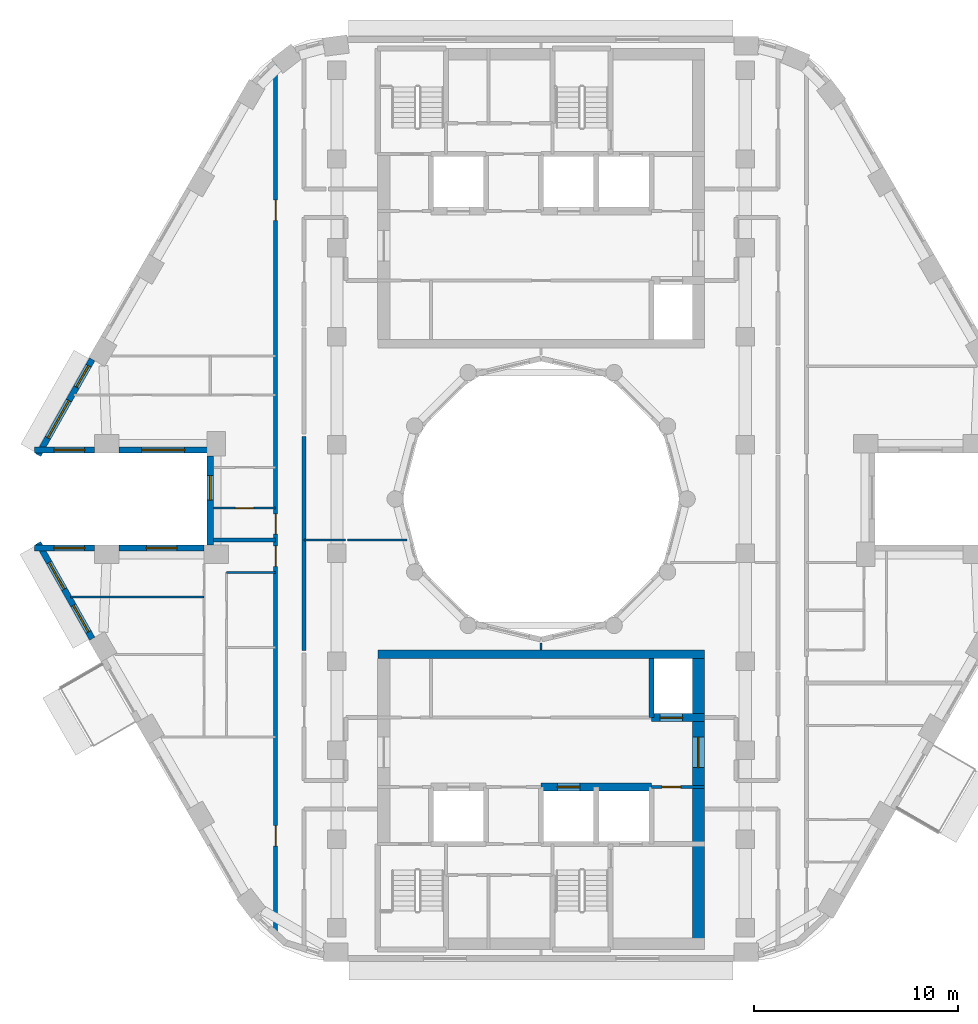
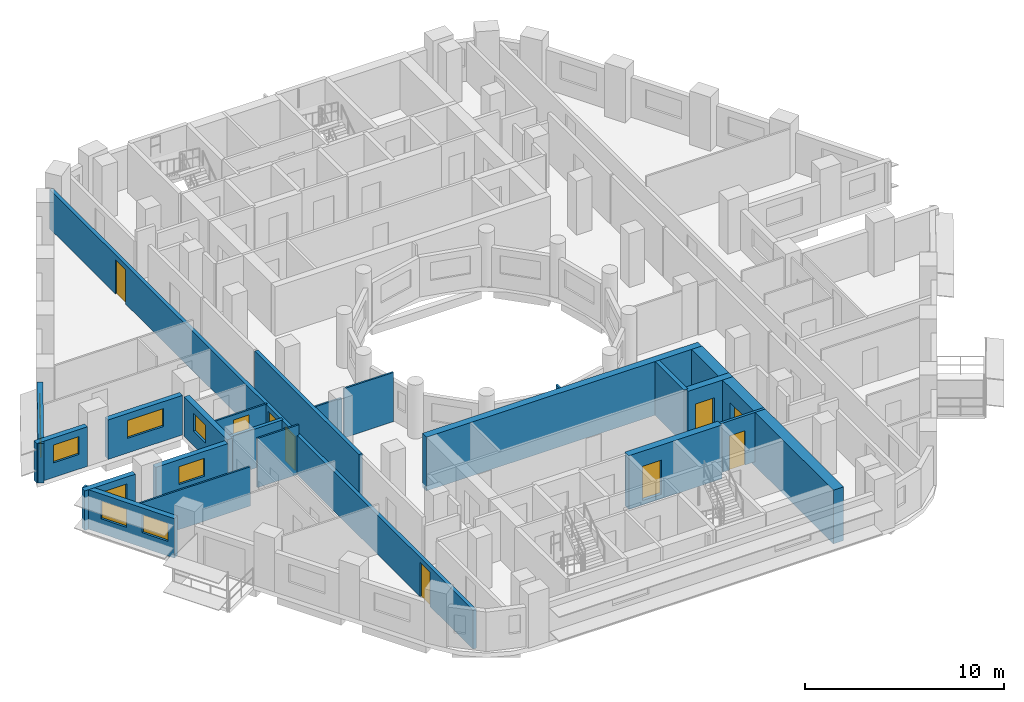
# One storey, part 4 of 15: 22 walls, 9 doors, 9 windows, 18 openings.
"""IFC4 building model written with IfcOpenShell, lengths in metres."""

from ifc_helpers import new_model, si_unit, direction, frame, frame_2d, origin, place, context, subcontext, project, spatial, rectangle, extrude, material, layer, layer_set, type_object, element, fill, save


model = new_model("IFC4")

# Units and contexts
model_context = context("Model", 3, precision=1e-05, world=origin(), true_north=direction((0.0, 1.0)))
body_context = subcontext(model_context, "Body", "Model", "MODEL_VIEW")
ifc_project = project(units=[si_unit("LENGTHUNIT", "METRE"), si_unit("AREAUNIT", "SQUARE_METRE"), si_unit("VOLUMEUNIT", "CUBIC_METRE"), si_unit("PLANEANGLEUNIT", "RADIAN"), si_unit("MASSUNIT", "GRAM", prefix="KILO")], contexts=[model_context])

# Site, building, storey
site_placement = place(None, origin())
site = spatial("IfcSite", under=ifc_project, at=site_placement, CompositionType="ELEMENT")
building_placement = place(site_placement, origin())
building = spatial("IfcBuilding", under=site, at=building_placement, Name="Nakaniwa Court", CompositionType="ELEMENT")
storey_placement = place(building_placement, frame((0.0, 0.0, 213.0)))
storey = spatial("IfcBuildingStorey", under=building, at=storey_placement, Name="L56", CompositionType="ELEMENT", Elevation=213.0)

# Wall
ifc_material_1 = material(Name="Acoustic double stud partition")
ifc_layer_1 = layer(ifc_material_1, 0.199951171875)
ifc_layer_set_1 = layer_set([ifc_layer_1], Name="Acoustic double stud partition")
wall_type_1 = type_object("IfcWallType", Name="Acoustic double stud partition 200", PredefinedType="PARTITIONING", material=ifc_layer_set_1)
wall_1_placement = place(storey_placement, frame((68.39990234375, 72.5771484375, 0.0), z_axis=(0.0, 0.0, 1.0), x_axis=(0.0, 1.0, 0.0)))
element("IfcWall", 1, at=wall_1_placement, inside=storey, type_object=wall_type_1, Name="Partition PW-094", PredefinedType="PARTITIONING", context=body_context, shape_type="SweptSolid", body=[
    extrude(rectangle(XDim=10.485595703125, YDim=0.199951171875, at=frame_2d((5.24267578125, 0.0))), origin(), (0.0, 0.0, 1.0), 3.02490234375),
])

# Wall, openings, doors
wall_2_placement = place(storey_placement, frame((67.0, 58.67431640625, 0.0), z_axis=(0.0, 0.0, 1.0), x_axis=(0.0, 1.0, 0.0)))
wall_2 = element("IfcWall", 2, at=wall_2_placement, inside=storey, type_object=wall_type_1, Name="Partition PW-102", PredefinedType="PARTITIONING", context=body_context, shape_type="SweptSolid", body=[
    extrude(rectangle(XDim=42.591796875, YDim=0.199951171875, at=frame_2d((21.2958984375, 0.0))), origin(), (0.0, 0.0, 1.0), 2.405029296875),
])
opening_1_placement = place(wall_2_placement, frame((18.02587890625, 0.0, 0.0)))
opening_1 = element("IfcOpeningElement", 3, at=opening_1_placement, cuts=wall_2, Name="Opening D-01-03", PredefinedType="OPENING", context=body_context, shape_type="SweptSolid", body=[
    extrude(rectangle(XDim=1.0, YDim=2.10009765625, at=frame_2d((0.5, 1.050048828125))), frame((0.0, 0.10986328125, 0.0), z_axis=(0.0, -1.0, 0.0), x_axis=(1.0, 0.0, 0.0)), (0.0, 0.0, 1.0), 0.219970703125),
])
opening_2_placement = place(wall_2_placement, frame((19.60107421875, 0.0, 0.0)))
opening_2 = element("IfcOpeningElement", 4, at=opening_2_placement, cuts=wall_2, Name="Opening D-01-04", PredefinedType="OPENING", context=body_context, shape_type="SweptSolid", body=[
    extrude(rectangle(XDim=1.0, YDim=2.10009765625, at=frame_2d((0.5, 1.050048828125))), frame((0.0, 0.10986328125, 0.0), z_axis=(0.0, -1.0, 0.0), x_axis=(1.0, 0.0, 0.0)), (0.0, 0.0, 1.0), 0.219970703125),
])
opening_3_placement = place(wall_2_placement, frame((4.33203125, 0.0, 0.0)))
opening_3 = element("IfcOpeningElement", 5, at=opening_3_placement, cuts=wall_2, Name="Opening D-02-10", PredefinedType="OPENING", context=body_context, shape_type="SweptSolid", body=[
    extrude(rectangle(XDim=1.0, YDim=2.10009765625, at=frame_2d((0.5, 1.050048828125))), frame((0.0, 0.10986328125, 0.0), z_axis=(0.0, -1.0, 0.0), x_axis=(1.0, 0.0, 0.0)), (0.0, 0.0, 1.0), 0.219970703125),
])
opening_4_placement = place(wall_2_placement, frame((34.95703125, 0.0, 0.0)))
opening_4 = element("IfcOpeningElement", 6, at=opening_4_placement, cuts=wall_2, Name="Opening D-02-11", PredefinedType="OPENING", context=body_context, shape_type="SweptSolid", body=[
    extrude(rectangle(XDim=1.0, YDim=2.10009765625, at=frame_2d((0.5, 1.050048828125))), frame((0.0, 0.10986328125, 0.0), z_axis=(0.0, -1.0, 0.0), x_axis=(1.0, 0.0, 0.0)), (0.0, 0.0, 1.0), 0.219970703125),
])
ifc_material_2 = material(Name="Solid core timber door set, black veneer", Category="wood")
door_type_1 = type_object("IfcDoorType", Name="Flat entrance door 1000", OperationType="NOTDEFINED", PredefinedType="DOOR", material=ifc_material_2)
door_1_placement = place(opening_1_placement, origin())
door_1 = element("IfcDoor", 7, at=door_1_placement, inside=storey, type_object=door_type_1, Name="Door D-01-03 L56-035", OperationType="SINGLE_SWING_RIGHT", OverallHeight=2.10009765625, OverallWidth=1.0, PredefinedType="DOOR", context=body_context, shape_type="SweptSolid", body=[
    extrude(rectangle(XDim=1.0, YDim=2.10009765625, at=frame_2d((0.5, 1.050048828125))), frame((0.0, 0.02490234375, 0.0), z_axis=(0.0, -1.0, 0.0), x_axis=(1.0, 0.0, 0.0)), (0.0, 0.0, 1.0), 0.050048828125),
])
fill(opening_1, door_1)
door_2_placement = place(opening_2_placement, origin())
door_2 = element("IfcDoor", 8, at=door_2_placement, inside=storey, type_object=door_type_1, Name="Door D-01-04 L56-041", OperationType="SINGLE_SWING_RIGHT", OverallHeight=2.10009765625, OverallWidth=1.0, PredefinedType="DOOR", context=body_context, shape_type="SweptSolid", body=[
    extrude(rectangle(XDim=1.0, YDim=2.10009765625, at=frame_2d((0.5, 1.050048828125))), frame((0.0, 0.02490234375, 0.0), z_axis=(0.0, -1.0, 0.0), x_axis=(1.0, 0.0, 0.0)), (0.0, 0.0, 1.0), 0.050048828125),
])
fill(opening_2, door_2)
door_type_2 = type_object("IfcDoorType", Name="Internal door 1000", OperationType="NOTDEFINED", PredefinedType="DOOR", material=ifc_material_2)
door_3_placement = place(opening_3_placement, origin())
door_3 = element("IfcDoor", 9, at=door_3_placement, inside=storey, type_object=door_type_2, Name="Door D-02-10 L56-049", OperationType="SINGLE_SWING_RIGHT", OverallHeight=2.10009765625, OverallWidth=1.0, PredefinedType="DOOR", context=body_context, shape_type="SweptSolid", body=[
    extrude(rectangle(XDim=1.0, YDim=2.10009765625, at=frame_2d((0.5, 1.050048828125))), frame((0.0, 0.02490234375, 0.0), z_axis=(0.0, -1.0, 0.0), x_axis=(1.0, 0.0, 0.0)), (0.0, 0.0, 1.0), 0.050048828125),
])
fill(opening_3, door_3)
door_4_placement = place(opening_4_placement, origin())
door_4 = element("IfcDoor", 10, at=door_4_placement, inside=storey, type_object=door_type_2, Name="Door D-02-11 L56-050", OperationType="SINGLE_SWING_LEFT", OverallHeight=2.10009765625, OverallWidth=1.0, PredefinedType="DOOR", context=body_context, shape_type="SweptSolid", body=[
    extrude(rectangle(XDim=1.0, YDim=2.10009765625, at=frame_2d((0.5, 1.050048828125))), frame((0.0, 0.02490234375, 0.0), z_axis=(0.0, -1.0, 0.0), x_axis=(1.0, 0.0, 0.0)), (0.0, 0.0, 1.0), 0.050048828125),
])
fill(opening_4, door_4)

# Wall
wall_3_placement = place(storey_placement, frame((63.950439453125, 78.0, 0.0), z_axis=(0.0, 0.0, 1.0), x_axis=(1.0, 0.0, 0.0)))
element("IfcWall", 11, at=wall_3_placement, inside=storey, type_object=wall_type_1, Name="Partition PW-126", PredefinedType="PARTITIONING", context=body_context, shape_type="SweptSolid", body=[
    extrude(rectangle(XDim=3.048583984375, YDim=0.199951171875, at=frame_2d((1.5244140625, 0.0))), origin(), (0.0, 0.0, 1.0), 2.405029296875),
])

# Wall, openings, windows
ifc_material_3 = material(Name="Charcoal ceramic cladding")
ifc_layer_2 = layer(ifc_material_3, 0.02, Name="Ceramic cladding")
ifc_material_4 = material(Name="Ventilated air cavity")
ifc_layer_3 = layer(ifc_material_4, 0.04, ventilated=True, Name="Ventilated cavity")
ifc_material_5 = material(Name="Mineral wool insulation")
ifc_layer_4 = layer(ifc_material_5, 0.1, Name="Insulation")
ifc_material_6 = material(Name="Cement bonded sheathing board")
ifc_layer_5 = layer(ifc_material_6, 0.012, Name="Sheathing")
ifc_material_7 = material(Name="Cold-formed galvanised stud frame with mineral wool infill")
ifc_layer_6 = layer(ifc_material_7, 0.1, Name="Stud frame")
ifc_material_8 = material(Name="Fire-rated gypsum plasterboard lining")
ifc_layer_7 = layer(ifc_material_8, 0.028, Name="Lining")
ifc_layer_set_2 = layer_set([ifc_layer_2, ifc_layer_3, ifc_layer_4, ifc_layer_5, ifc_layer_6, ifc_layer_7], Name="Charcoal ceramic faced external wall system")
wall_type_2 = type_object("IfcWallType", Name="Black ceramic faced external wall 300", PredefinedType="SOLIDWALL", material=ifc_layer_set_2)
wall_4_placement = place(storey_placement, frame((58.023193359375, 86.843017578125, 0.0), z_axis=(0.0, 0.0, 1.0), x_axis=(-0.492033360928, -0.870576344575, 0.0)))
wall_4 = element("IfcWall", 12, at=wall_4_placement, inside=storey, type_object=wall_type_2, Name="L56 external wall 14", PredefinedType="SOLIDWALL", context=body_context, shape_type="SweptSolid", body=[
    extrude(rectangle(XDim=5.38671875, YDim=0.300048828125, at=frame_2d((2.693359375, 0.0))), origin(), (0.0, 0.0, 1.0), 2.425048828125),
])
opening_5_placement = place(wall_4_placement, frame((0.365966796875, 0.0, 0.89990234375)))
opening_5 = element("IfcOpeningElement", 13, at=opening_5_placement, cuts=wall_4, Name="Opening W6.16", PredefinedType="OPENING", context=body_context, shape_type="SweptSolid", body=[
    extrude(rectangle(XDim=1.199951171875, YDim=1.10009765625, at=frame_2d((0.60009765625, 0.550048828125))), frame((0.0, 0.159912109375, 0.0), z_axis=(0.0, -1.0, 0.0), x_axis=(1.0, 0.0, 0.0)), (0.0, 0.0, 1.0), 0.320068359375),
])
opening_6_placement = place(wall_4_placement, frame((2.32080078125, 0.0, 0.89990234375)))
opening_6 = element("IfcOpeningElement", 14, at=opening_6_placement, cuts=wall_4, Name="Opening W7.17", PredefinedType="OPENING", context=body_context, shape_type="SweptSolid", body=[
    extrude(rectangle(XDim=2.10009765625, YDim=1.10009765625, at=frame_2d((1.050048828125, 0.550048828125))), frame((0.0, 0.159912109375, 0.0), z_axis=(0.0, -1.0, 0.0), x_axis=(1.0, 0.0, 0.0)), (0.0, 0.0, 1.0), 0.320068359375),
])
ifc_material_9 = material(Name="Black anodised aluminium frame with dark low-E laminated double glazing", Category="aluminium")
window_type_1 = type_object("IfcWindowType", Name="Dark glass window 1200x1100 sill 900", PartitioningType="SINGLE_PANEL", PredefinedType="WINDOW", material=ifc_material_9)
window_1_placement = place(opening_5_placement, origin())
window_1 = element("IfcWindow", 15, at=window_1_placement, inside=storey, type_object=window_type_1, Name="L56 habitable room window 14-0", OverallHeight=1.10009765625, OverallWidth=1.199951171875, PartitioningType="SINGLE_PANEL", PredefinedType="WINDOW", context=body_context, shape_type="SweptSolid", body=[
    extrude(rectangle(XDim=1.199951171875, YDim=1.10009765625, at=frame_2d((0.60009765625, 0.550048828125))), frame((0.0, 0.030029296875, 0.0), z_axis=(0.0, -1.0, 0.0), x_axis=(1.0, 0.0, 0.0)), (0.0, 0.0, 1.0), 0.06005859375),
])
fill(opening_5, window_1)
window_type_2 = type_object("IfcWindowType", Name="Dark glass window 2100x1100 sill 900", PartitioningType="SINGLE_PANEL", PredefinedType="WINDOW", material=ifc_material_9)
window_2_placement = place(opening_6_placement, origin())
window_2 = element("IfcWindow", 16, at=window_2_placement, inside=storey, type_object=window_type_2, Name="L56 living window 14-1", OverallHeight=1.10009765625, OverallWidth=2.10009765625, PartitioningType="SINGLE_PANEL", PredefinedType="WINDOW", context=body_context, shape_type="SweptSolid", body=[
    extrude(rectangle(XDim=2.10009765625, YDim=1.10009765625, at=frame_2d((1.050048828125, 0.550048828125))), frame((0.0, 0.030029296875, 0.0), z_axis=(0.0, -1.0, 0.0), x_axis=(1.0, 0.0, 0.0)), (0.0, 0.0, 1.0), 0.06005859375),
])
fill(opening_6, window_2)

# Wall, opening, window
wall_5_placement = place(storey_placement, frame((55.2021484375, 82.39990234375, 0.0), z_axis=(0.0, 0.0, 1.0), x_axis=(1.0, 0.0, 0.0)))
wall_5 = element("IfcWall", 17, at=wall_5_placement, inside=storey, type_object=wall_type_2, Name="L56 external wall 15", PredefinedType="SOLIDWALL", context=body_context, shape_type="SweptSolid", body=[
    extrude(rectangle(XDim=2.937744140625, YDim=0.300048828125, at=frame_2d((1.46875, 0.0))), origin(), (0.0, 0.0, 1.0), 2.425048828125),
])
opening_7_placement = place(wall_5_placement, frame((0.944091796875, 0.0, 0.89990234375)))
opening_7 = element("IfcOpeningElement", 18, at=opening_7_placement, cuts=wall_5, Name="Opening W5.18", PredefinedType="OPENING", context=body_context, shape_type="SweptSolid", body=[
    extrude(rectangle(XDim=1.5, YDim=1.10009765625, at=frame_2d((0.75, 0.550048828125))), frame((0.0, 0.159912109375, 0.0), z_axis=(0.0, -1.0, 0.0), x_axis=(1.0, 0.0, 0.0)), (0.0, 0.0, 1.0), 0.320068359375),
])
window_type_3 = type_object("IfcWindowType", Name="Dark glass window 1500x1100 sill 900", PartitioningType="SINGLE_PANEL", PredefinedType="WINDOW", material=ifc_material_9)
window_3_placement = place(opening_7_placement, origin())
window_3 = element("IfcWindow", 19, at=window_3_placement, inside=storey, type_object=window_type_3, Name="L56 living window 15-0", OverallHeight=1.10009765625, OverallWidth=1.5, PartitioningType="SINGLE_PANEL", PredefinedType="WINDOW", context=body_context, shape_type="SweptSolid", body=[
    extrude(rectangle(XDim=1.5, YDim=1.10009765625, at=frame_2d((0.75, 0.550048828125))), frame((0.0, 0.030029296875, 0.0), z_axis=(0.0, -1.0, 0.0), x_axis=(1.0, 0.0, 0.0)), (0.0, 0.0, 1.0), 0.06005859375),
])
fill(opening_7, window_3)

wall_6_placement = place(storey_placement, frame((59.33203125, 82.39990234375, 0.0), z_axis=(0.0, 0.0, 1.0), x_axis=(1.0, 0.0, 0.0)))
wall_6 = element("IfcWall", 20, at=wall_6_placement, inside=storey, type_object=wall_type_2, Name="L56 external wall 16", PredefinedType="SOLIDWALL", context=body_context, shape_type="SweptSolid", body=[
    extrude(rectangle(XDim=4.322509765625, YDim=0.300048828125, at=frame_2d((2.1611328125, 0.0))), origin(), (0.0, 0.0, 1.0), 2.425048828125),
])
opening_8_placement = place(wall_6_placement, frame((1.111083984375, 0.0, 0.89990234375)))
opening_8 = element("IfcOpeningElement", 21, at=opening_8_placement, cuts=wall_6, Name="Opening W7.19", PredefinedType="OPENING", context=body_context, shape_type="SweptSolid", body=[
    extrude(rectangle(XDim=2.10009765625, YDim=1.10009765625, at=frame_2d((1.050048828125, 0.550048828125))), frame((0.0, 0.159912109375, 0.0), z_axis=(0.0, -1.0, 0.0), x_axis=(1.0, 0.0, 0.0)), (0.0, 0.0, 1.0), 0.320068359375),
])
window_4_placement = place(opening_8_placement, origin())
window_4 = element("IfcWindow", 22, at=window_4_placement, inside=storey, type_object=window_type_2, Name="L56 living window 16-0", OverallHeight=1.10009765625, OverallWidth=2.10009765625, PartitioningType="SINGLE_PANEL", PredefinedType="WINDOW", context=body_context, shape_type="SweptSolid", body=[
    extrude(rectangle(XDim=2.10009765625, YDim=1.10009765625, at=frame_2d((1.050048828125, 0.550048828125))), frame((0.0, 0.030029296875, 0.0), z_axis=(0.0, -1.0, 0.0), x_axis=(1.0, 0.0, 0.0)), (0.0, 0.0, 1.0), 0.06005859375),
])
fill(opening_8, window_4)

wall_7_placement = place(storey_placement, frame((63.800537109375, 82.10400390625, 0.0), z_axis=(0.0, 0.0, 1.0), x_axis=(0.0, -1.0, 0.0)))
wall_7 = element("IfcWall", 23, at=wall_7_placement, inside=storey, type_object=wall_type_2, Name="L56 external wall 17", PredefinedType="SOLIDWALL", context=body_context, shape_type="SweptSolid", body=[
    extrude(rectangle(XDim=4.35791015625, YDim=0.300048828125, at=frame_2d((2.178955078125, 0.0))), origin(), (0.0, 0.0, 1.0), 2.425048828125),
])
opening_9_placement = place(wall_7_placement, frame((0.9541015625, 0.0, 0.89990234375)))
opening_9 = element("IfcOpeningElement", 24, at=opening_9_placement, cuts=wall_7, Name="Opening W6.20", PredefinedType="OPENING", context=body_context, shape_type="SweptSolid", body=[
    extrude(rectangle(XDim=1.199951171875, YDim=1.10009765625, at=frame_2d((0.60009765625, 0.550048828125))), frame((0.0, 0.159912109375, 0.0), z_axis=(0.0, -1.0, 0.0), x_axis=(1.0, 0.0, 0.0)), (0.0, 0.0, 1.0), 0.320068359375),
])
window_5_placement = place(opening_9_placement, origin())
window_5 = element("IfcWindow", 25, at=window_5_placement, inside=storey, type_object=window_type_1, Name="L56 habitable room window 17-1", OverallHeight=1.10009765625, OverallWidth=1.199951171875, PartitioningType="SINGLE_PANEL", PredefinedType="WINDOW", context=body_context, shape_type="SweptSolid", body=[
    extrude(rectangle(XDim=1.199951171875, YDim=1.10009765625, at=frame_2d((0.60009765625, 0.550048828125))), frame((0.0, 0.030029296875, 0.0), z_axis=(0.0, -1.0, 0.0), x_axis=(1.0, 0.0, 0.0)), (0.0, 0.0, 1.0), 0.06005859375),
])
fill(opening_9, window_5)

wall_8_placement = place(storey_placement, frame((63.50439453125, 77.60009765625, 0.0), z_axis=(0.0, 0.0, 1.0), x_axis=(-1.0, 0.0, 0.0)))
wall_8 = element("IfcWall", 26, at=wall_8_placement, inside=storey, type_object=wall_type_2, Name="L56 external wall 18", PredefinedType="SOLIDWALL", context=body_context, shape_type="SweptSolid", body=[
    extrude(rectangle(XDim=4.17236328125, YDim=0.300048828125, at=frame_2d((2.086181640625, 0.0))), origin(), (0.0, 0.0, 1.0), 2.425048828125),
])
opening_10_placement = place(wall_8_placement, frame((1.336181640625, 0.0, 0.89990234375)))
opening_10 = element("IfcOpeningElement", 27, at=opening_10_placement, cuts=wall_8, Name="Opening W5.21", PredefinedType="OPENING", context=body_context, shape_type="SweptSolid", body=[
    extrude(rectangle(XDim=1.5, YDim=1.10009765625, at=frame_2d((0.75, 0.550048828125))), frame((0.0, 0.159912109375, 0.0), z_axis=(0.0, -1.0, 0.0), x_axis=(1.0, 0.0, 0.0)), (0.0, 0.0, 1.0), 0.320068359375),
])
window_6_placement = place(opening_10_placement, origin())
window_6 = element("IfcWindow", 28, at=window_6_placement, inside=storey, type_object=window_type_3, Name="L56 bedroom window 18-0", OverallHeight=1.10009765625, OverallWidth=1.5, PartitioningType="SINGLE_PANEL", PredefinedType="WINDOW", context=body_context, shape_type="SweptSolid", body=[
    extrude(rectangle(XDim=1.5, YDim=1.10009765625, at=frame_2d((0.75, 0.550048828125))), frame((0.0, 0.030029296875, 0.0), z_axis=(0.0, -1.0, 0.0), x_axis=(1.0, 0.0, 0.0)), (0.0, 0.0, 1.0), 0.06005859375),
])
fill(opening_10, window_6)

wall_9_placement = place(storey_placement, frame((58.139892578125, 77.60009765625, 0.0), z_axis=(0.0, 0.0, 1.0), x_axis=(-1.0, 0.0, 0.0)))
wall_9 = element("IfcWall", 29, at=wall_9_placement, inside=storey, type_object=wall_type_2, Name="L56 external wall 19", PredefinedType="SOLIDWALL", context=body_context, shape_type="SweptSolid", body=[
    extrude(rectangle(XDim=2.937744140625, YDim=0.300048828125, at=frame_2d((1.46875, 0.0))), origin(), (0.0, 0.0, 1.0), 2.425048828125),
])
opening_11_placement = place(wall_9_placement, frame((0.493896484375, 0.0, 0.89990234375)))
opening_11 = element("IfcOpeningElement", 30, at=opening_11_placement, cuts=wall_9, Name="Opening W5.22", PredefinedType="OPENING", context=body_context, shape_type="SweptSolid", body=[
    extrude(rectangle(XDim=1.5, YDim=1.10009765625, at=frame_2d((0.75, 0.550048828125))), frame((0.0, 0.159912109375, 0.0), z_axis=(0.0, -1.0, 0.0), x_axis=(1.0, 0.0, 0.0)), (0.0, 0.0, 1.0), 0.320068359375),
])
window_7_placement = place(opening_11_placement, origin())
window_7 = element("IfcWindow", 31, at=window_7_placement, inside=storey, type_object=window_type_3, Name="L56 bedroom window 19-0", OverallHeight=1.10009765625, OverallWidth=1.5, PartitioningType="SINGLE_PANEL", PredefinedType="WINDOW", context=body_context, shape_type="SweptSolid", body=[
    extrude(rectangle(XDim=1.5, YDim=1.10009765625, at=frame_2d((0.75, 0.550048828125))), frame((0.0, 0.030029296875, 0.0), z_axis=(0.0, -1.0, 0.0), x_axis=(1.0, 0.0, 0.0)), (0.0, 0.0, 1.0), 0.06005859375),
])
fill(opening_11, window_7)

# Wall, openings, windows
wall_10_placement = place(storey_placement, frame((55.372802734375, 77.846435546875, 0.0), z_axis=(0.0, 0.0, 1.0), x_axis=(0.492033360928, -0.870576344575, 0.0)))
wall_10 = element("IfcWall", 32, at=wall_10_placement, inside=storey, type_object=wall_type_2, Name="L56 external wall 20", PredefinedType="SOLIDWALL", context=body_context, shape_type="SweptSolid", body=[
    extrude(rectangle(XDim=5.38671875, YDim=0.300048828125, at=frame_2d((2.693359375, 0.0))), origin(), (0.0, 0.0, 1.0), 2.425048828125),
])
opening_12_placement = place(wall_10_placement, frame((1.0966796875, 0.0, 0.89990234375)))
opening_12 = element("IfcOpeningElement", 33, at=opening_12_placement, cuts=wall_10, Name="Opening W5.23", PredefinedType="OPENING", context=body_context, shape_type="SweptSolid", body=[
    extrude(rectangle(XDim=1.5, YDim=1.10009765625, at=frame_2d((0.75, 0.550048828125))), frame((0.0, 0.159912109375, 0.0), z_axis=(0.0, -1.0, 0.0), x_axis=(1.0, 0.0, 0.0)), (0.0, 0.0, 1.0), 0.320068359375),
])
opening_13_placement = place(wall_10_placement, frame((3.50146484375, 0.0, 0.89990234375)))
opening_13 = element("IfcOpeningElement", 34, at=opening_13_placement, cuts=wall_10, Name="Opening W5.24", PredefinedType="OPENING", context=body_context, shape_type="SweptSolid", body=[
    extrude(rectangle(XDim=1.5, YDim=1.10009765625, at=frame_2d((0.75, 0.550048828125))), frame((0.0, 0.159912109375, 0.0), z_axis=(0.0, -1.0, 0.0), x_axis=(1.0, 0.0, 0.0)), (0.0, 0.0, 1.0), 0.320068359375),
])
window_8_placement = place(opening_12_placement, origin())
window_8 = element("IfcWindow", 35, at=window_8_placement, inside=storey, type_object=window_type_3, Name="L56 bedroom window 20-0", OverallHeight=1.10009765625, OverallWidth=1.5, PartitioningType="SINGLE_PANEL", PredefinedType="WINDOW", context=body_context, shape_type="SweptSolid", body=[
    extrude(rectangle(XDim=1.5, YDim=1.10009765625, at=frame_2d((0.75, 0.550048828125))), frame((0.0, 0.030029296875, 0.0), z_axis=(0.0, -1.0, 0.0), x_axis=(1.0, 0.0, 0.0)), (0.0, 0.0, 1.0), 0.06005859375),
])
fill(opening_12, window_8)
window_9_placement = place(opening_13_placement, origin())
window_9 = element("IfcWindow", 36, at=window_9_placement, inside=storey, type_object=window_type_3, Name="L56 bedroom window 20-1", OverallHeight=1.10009765625, OverallWidth=1.5, PartitioningType="SINGLE_PANEL", PredefinedType="WINDOW", context=body_context, shape_type="SweptSolid", body=[
    extrude(rectangle(XDim=1.5, YDim=1.10009765625, at=frame_2d((0.75, 0.550048828125))), frame((0.0, 0.030029296875, 0.0), z_axis=(0.0, -1.0, 0.0), x_axis=(1.0, 0.0, 0.0)), (0.0, 0.0, 1.0), 0.06005859375),
])
fill(opening_13, window_9)

# Wall, opening, door
ifc_material_10 = material(Name="Blockwork partition", Category="masonry")
ifc_layer_8 = layer(ifc_material_10, 0.14990234375)
ifc_layer_set_3 = layer_set([ifc_layer_8], Name="Blockwork partition")
wall_type_3 = type_object("IfcWallType", Name="Blockwork partition 150", PredefinedType="PARTITIONING", material=ifc_layer_set_3)
wall_11_placement = place(storey_placement, frame((88.0, 65.89990234375, 0.0), z_axis=(0.0, 0.0, 1.0), x_axis=(-1.0, 0.0, 0.0)))
wall_11 = element("IfcWall", 37, at=wall_11_placement, inside=storey, type_object=wall_type_3, Name="Partition PW-042", PredefinedType="PARTITIONING", context=body_context, shape_type="SweptSolid", body=[
    extrude(rectangle(XDim=2.60302734375, YDim=0.14990234375, at=frame_2d((1.301513671875, 0.0))), origin(), (0.0, 0.0, 1.0), 3.02490234375),
])
opening_14_placement = place(wall_11_placement, frame((1.175048828125, 0.0, 0.0)))
opening_14 = element("IfcOpeningElement", 38, at=opening_14_placement, cuts=wall_11, Name="Opening D-05-08", PredefinedType="OPENING", context=body_context, shape_type="SweptSolid", body=[
    extrude(rectangle(XDim=0.89990234375, YDim=2.10009765625, at=frame_2d((0.449951171875, 1.050048828125))), frame((0.0, 0.0849609375, 0.0), z_axis=(0.0, -1.0, 0.0), x_axis=(1.0, 0.0, 0.0)), (0.0, 0.0, 1.0), 0.169921875),
])
ifc_material_11 = material(Name="Fire rated steel door set", Category="steel")
door_type_3 = type_object("IfcDoorType", Name="Service room door 900", OperationType="NOTDEFINED", PredefinedType="DOOR", material=ifc_material_11)
door_5_placement = place(opening_14_placement, origin())
door_5 = element("IfcDoor", 39, at=door_5_placement, inside=storey, type_object=door_type_3, Name="Door D-05-08 L56-015", OperationType="SINGLE_SWING_RIGHT", OverallHeight=2.10009765625, OverallWidth=0.89990234375, PredefinedType="DOOR", context=body_context, shape_type="SweptSolid", body=[
    extrude(rectangle(XDim=0.89990234375, YDim=2.10009765625, at=frame_2d((0.449951171875, 1.050048828125))), frame((0.0, 0.02490234375, 0.0), z_axis=(0.0, -1.0, 0.0), x_axis=(1.0, 0.0, 0.0)), (0.0, 0.0, 1.0), 0.050048828125),
])
fill(opening_14, door_5)

ifc_material_12 = material(Name="Concrete C80/100", Category="concrete")
ifc_layer_9 = layer(ifc_material_12, 0.60009765625)
ifc_layer_set_4 = layer_set([ifc_layer_9], Name="Concrete C80/100")
wall_type_4 = type_object("IfcWallType", Name="Concrete core side wall 600 C80", PredefinedType="SHEAR", material=ifc_layer_set_4)
wall_12_placement = place(storey_placement, frame((87.699951171875, 72.199951171875, -0.27490234375), z_axis=(0.0, 0.0, 1.0), x_axis=(0.0, -1.0, 0.0)))
wall_12 = element("IfcWall", 40, at=wall_12_placement, inside=storey, type_object=wall_type_4, Name="Core wall SW-39", PredefinedType="SHEAR", context=body_context, shape_type="SweptSolid", body=[
    extrude(rectangle(XDim=14.25, YDim=0.60009765625, at=frame_2d((7.125, 0.0))), origin(), (0.0, 0.0, 1.0), 3.2998046875),
])
opening_15_placement = place(wall_12_placement, frame((3.85205078125, 0.0, 0.27490234375)))
opening_15 = element("IfcOpeningElement", 41, at=opening_15_placement, cuts=wall_12, Name="Opening D-07-03", PredefinedType="OPENING", context=body_context, shape_type="SweptSolid", body=[
    extrude(rectangle(XDim=1.5, YDim=2.10009765625, at=frame_2d((0.75, 1.050048828125))), frame((0.0, 0.31005859375, 0.0), z_axis=(0.0, -1.0, 0.0), x_axis=(1.0, 0.0, 0.0)), (0.0, 0.0, 1.0), 0.6201171875),
])
ifc_material_13 = material(Name="Glazed fire rated steel double door set", Category="steel")
door_type_4 = type_object("IfcDoorType", Name="Lobby double door 1500", OperationType="NOTDEFINED", PredefinedType="DOOR", material=ifc_material_13)
door_6_placement = place(opening_15_placement, origin())
door_6 = element("IfcDoor", 42, at=door_6_placement, inside=storey, type_object=door_type_4, Name="Door D-07-03 L56-054", OperationType="DOUBLE_DOOR_SINGLE_SWING", OverallHeight=2.10009765625, OverallWidth=1.5, PredefinedType="DOOR", context=body_context, shape_type="SweptSolid", body=[
    extrude(rectangle(XDim=1.5, YDim=2.10009765625, at=frame_2d((0.75, 1.050048828125))), frame((0.0, 0.02490234375, 0.0), z_axis=(0.0, -1.0, 0.0), x_axis=(1.0, 0.0, 0.0)), (0.0, 0.0, 1.0), 0.050048828125),
])
fill(opening_15, door_6)

ifc_layer_10 = layer(ifc_material_12, 0.39990234375)
ifc_layer_set_5 = layer_set([ifc_layer_10], Name="Concrete C80/100")
wall_type_5 = type_object("IfcWallType", Name="Concrete core spine wall 400 C80", PredefinedType="SHEAR", material=ifc_layer_set_5)
wall_13_placement = place(storey_placement, frame((85.39990234375, 69.300048828125, -0.27490234375), z_axis=(0.0, 0.0, 1.0), x_axis=(1.0, 0.0, 0.0)))
wall_13 = element("IfcWall", 43, at=wall_13_placement, inside=storey, type_object=wall_type_5, Name="Core wall SW-38", PredefinedType="SHEAR", context=body_context, shape_type="SweptSolid", body=[
    extrude(rectangle(XDim=2.60009765625, YDim=0.39990234375, at=frame_2d((1.300048828125, 0.0))), origin(), (0.0, 0.0, 1.0), 3.2998046875),
])
opening_16_placement = place(wall_13_placement, frame((0.425048828125, 0.0, 0.27490234375)))
opening_16 = element("IfcOpeningElement", 44, at=opening_16_placement, cuts=wall_13, Name="Opening LD05", PredefinedType="OPENING", context=body_context, shape_type="SweptSolid", body=[
    extrude(rectangle(XDim=1.10009765625, YDim=2.10009765625, at=frame_2d((0.550048828125, 1.050048828125))), frame((0.0, 0.2099609375, 0.0), z_axis=(0.0, -1.0, 0.0), x_axis=(1.0, 0.0, 0.0)), (0.0, 0.0, 1.0), 0.419921875),
])
ifc_material_14 = material(Name="Stainless steel sliding lift landing door", Category="steel")
door_type_5 = type_object("IfcDoorType", Name="Lift landing door 1100", OperationType="NOTDEFINED", PredefinedType="DOOR", material=ifc_material_14)
door_7_placement = place(opening_16_placement, origin())
door_7 = element("IfcDoor", 45, at=door_7_placement, inside=storey, type_object=door_type_5, Name="Lift landing door LD05 L56-005", OperationType="SLIDING_TO_LEFT", OverallHeight=2.10009765625, OverallWidth=1.10009765625, PredefinedType="DOOR", context=body_context, shape_type="SweptSolid", body=[
    extrude(rectangle(XDim=1.10009765625, YDim=2.10009765625, at=frame_2d((0.550048828125, 1.050048828125))), frame((0.0, 0.02490234375, 0.0), z_axis=(0.0, -1.0, 0.0), x_axis=(1.0, 0.0, 0.0)), (0.0, 0.0, 1.0), 0.050048828125),
])
fill(opening_16, door_7)

wall_14_placement = place(storey_placement, frame((79.9970703125, 65.89990234375, -0.27490234375), z_axis=(0.0, 0.0, 1.0), x_axis=(1.0, 0.0, 0.0)))
wall_14 = element("IfcWall", 46, at=wall_14_placement, inside=storey, type_object=wall_type_5, Name="Core wall SW-44", PredefinedType="SHEAR", context=body_context, shape_type="SweptSolid", body=[
    extrude(rectangle(XDim=5.406005859375, YDim=0.39990234375, at=frame_2d((2.703125, 0.0))), origin(), (0.0, 0.0, 1.0), 3.2998046875),
])
opening_17_placement = place(wall_14_placement, frame((0.802978515625, 0.0, 0.27490234375)))
opening_17 = element("IfcOpeningElement", 47, at=opening_17_placement, cuts=wall_14, Name="Opening LD07", PredefinedType="OPENING", context=body_context, shape_type="SweptSolid", body=[
    extrude(rectangle(XDim=1.10009765625, YDim=2.10009765625, at=frame_2d((0.550048828125, 1.050048828125))), frame((0.0, 0.2099609375, 0.0), z_axis=(0.0, -1.0, 0.0), x_axis=(1.0, 0.0, 0.0)), (0.0, 0.0, 1.0), 0.419921875),
])
door_8_placement = place(opening_17_placement, origin())
door_8 = element("IfcDoor", 48, at=door_8_placement, inside=storey, type_object=door_type_5, Name="Lift landing door LD07 L56-007", OperationType="SLIDING_TO_LEFT", OverallHeight=2.10009765625, OverallWidth=1.10009765625, PredefinedType="DOOR", context=body_context, shape_type="SweptSolid", body=[
    extrude(rectangle(XDim=1.10009765625, YDim=2.10009765625, at=frame_2d((0.550048828125, 1.050048828125))), frame((0.0, 0.02490234375, 0.0), z_axis=(0.0, -1.0, 0.0), x_axis=(1.0, 0.0, 0.0)), (0.0, 0.0, 1.0), 0.050048828125),
])
fill(opening_17, door_8)

# Walls
ifc_layer_11 = layer(ifc_material_12, 0.39990234375)
ifc_layer_set_6 = layer_set([ifc_layer_11], Name="Concrete C80/100")
wall_type_6 = type_object("IfcWallType", Name="Concrete core well wall 400 C80", PredefinedType="SHEAR", material=ifc_layer_set_6)
wall_15_placement = place(storey_placement, frame((72.00390625, 72.39990234375, -0.27490234375), z_axis=(0.0, 0.0, 1.0), x_axis=(1.0, 0.0, 0.0)))
element("IfcWall", 49, at=wall_15_placement, inside=storey, type_object=wall_type_6, Name="Core wall SW-135", PredefinedType="SHEAR", context=body_context, shape_type="SweptSolid", body=[
    extrude(rectangle(XDim=15.9921875, YDim=0.39990234375, at=frame_2d((7.99609375, 0.0))), origin(), (0.0, 0.0, 1.0), 3.2998046875),
])
ifc_layer_12 = layer(ifc_material_12, 0.25)
ifc_layer_set_7 = layer_set([ifc_layer_12], Name="Concrete C80/100")
wall_type_7 = type_object("IfcWallType", Name="Concrete shaft wall 250 C80", PredefinedType="SHEAR", material=ifc_layer_set_7)
wall_16_placement = place(storey_placement, frame((85.39990234375, 69.300048828125, -0.27490234375), z_axis=(0.0, 0.0, 1.0), x_axis=(0.0, 1.0, 0.0)))
element("IfcWall", 50, at=wall_16_placement, inside=storey, type_object=wall_type_7, Name="Core wall SW-37", PredefinedType="SHEAR", context=body_context, shape_type="SweptSolid", body=[
    extrude(rectangle(XDim=2.89990234375, YDim=0.25, at=frame_2d((1.449951171875, 0.0))), origin(), (0.0, 0.0, 1.0), 3.2998046875),
])
ifc_material_15 = material(Name="Single stud plasterboard partition")
ifc_layer_13 = layer(ifc_material_15, 0.10009765625)
ifc_layer_set_8 = layer_set([ifc_layer_13], Name="Single stud plasterboard partition")
wall_type_8 = type_object("IfcWallType", Name="Single stud plasterboard partition 100", PredefinedType="PARTITIONING", material=ifc_layer_set_8)
wall_17_placement = place(storey_placement, frame((80.0, 72.60009765625, 0.0), z_axis=(0.0, 0.0, 1.0), x_axis=(0.0, 1.0, 0.0)))
element("IfcWall", 51, at=wall_17_placement, inside=storey, type_object=wall_type_8, Name="Partition PW-104", PredefinedType="PARTITIONING", context=body_context, shape_type="SweptSolid", body=[
    extrude(rectangle(XDim=0.351806640625, YDim=0.10009765625, at=frame_2d((0.17578125, 0.0))), origin(), (0.0, 0.0, 1.0), 3.02490234375),
])
wall_18_placement = place(storey_placement, frame((68.40087890625, 78.0, 0.0), z_axis=(0.0, 0.0, 1.0), x_axis=(1.0, 0.0, 0.0)))
element("IfcWall", 52, at=wall_18_placement, inside=storey, type_object=wall_type_8, Name="Partition PW-119", PredefinedType="PARTITIONING", context=body_context, shape_type="SweptSolid", body=[
    extrude(rectangle(XDim=2.009033203125, YDim=0.10009765625, at=frame_2d((1.00439453125, 0.0))), origin(), (0.0, 0.0, 1.0), 2.5048828125),
])
wall_19_placement = place(storey_placement, frame((70.530029296875, 78.0, 0.0), z_axis=(0.0, 0.0, 1.0), x_axis=(1.0, 0.0, 0.0)))
element("IfcWall", 53, at=wall_19_placement, inside=storey, type_object=wall_type_8, Name="Partition PW-120", PredefinedType="PARTITIONING", context=body_context, shape_type="SweptSolid", body=[
    extrude(rectangle(XDim=2.891845703125, YDim=0.10009765625, at=frame_2d((1.44580078125, 0.0))), origin(), (0.0, 0.0, 1.0), 3.02490234375),
])
wall_20_placement = place(storey_placement, frame((64.59912109375, 76.39990234375, 0.0), z_axis=(0.0, 0.0, 1.0), x_axis=(1.0, 0.0, 0.0)))
element("IfcWall", 54, at=wall_20_placement, inside=storey, type_object=wall_type_8, Name="Partition PW-124", PredefinedType="PARTITIONING", context=body_context, shape_type="SweptSolid", body=[
    extrude(rectangle(XDim=2.39990234375, YDim=0.10009765625, at=frame_2d((1.199951171875, 0.0))), origin(), (0.0, 0.0, 1.0), 3.02490234375),
])
wall_21_placement = place(storey_placement, frame((56.966796875, 75.195068359375, 0.0), z_axis=(0.0, 0.0, 1.0), x_axis=(1.0, 0.0, 0.0)))
element("IfcWall", 55, at=wall_21_placement, inside=storey, type_object=wall_type_8, Name="Partition PW-128", PredefinedType="PARTITIONING", context=body_context, shape_type="SweptSolid", body=[
    extrude(rectangle(XDim=6.5322265625, YDim=0.10009765625, at=frame_2d((3.26611328125, 0.0))), origin(), (0.0, 0.0, 1.0), 2.405029296875),
])

# Wall, opening, door
wall_22_placement = place(storey_placement, frame((63.950439453125, 79.550048828125, 0.0), z_axis=(0.0, 0.0, 1.0), x_axis=(1.0, 0.0, 0.0)))
wall_22 = element("IfcWall", 56, at=wall_22_placement, inside=storey, type_object=wall_type_8, Name="Partition PW-129", PredefinedType="PARTITIONING", context=body_context, shape_type="SweptSolid", body=[
    extrude(rectangle(XDim=3.048583984375, YDim=0.10009765625, at=frame_2d((1.5244140625, 0.0))), origin(), (0.0, 0.0, 1.0), 2.405029296875),
])
opening_18_placement = place(wall_22_placement, frame((1.073974609375, 0.0, 0.0)))
opening_18 = element("IfcOpeningElement", 57, at=opening_18_placement, cuts=wall_22, Name="Opening D-33-09", PredefinedType="OPENING", context=body_context, shape_type="SweptSolid", body=[
    extrude(rectangle(XDim=0.89990234375, YDim=2.10009765625, at=frame_2d((0.449951171875, 1.050048828125))), frame((0.0, 0.06005859375, 0.0), z_axis=(0.0, -1.0, 0.0), x_axis=(1.0, 0.0, 0.0)), (0.0, 0.0, 1.0), 0.1201171875),
])
door_type_6 = type_object("IfcDoorType", Name="Internal door 900", OperationType="NOTDEFINED", PredefinedType="DOOR", material=ifc_material_2)
door_9_placement = place(opening_18_placement, origin())
door_9 = element("IfcDoor", 58, at=door_9_placement, inside=storey, type_object=door_type_6, Name="Door D-33-09 L56-042", OperationType="SINGLE_SWING_LEFT", OverallHeight=2.10009765625, OverallWidth=0.89990234375, PredefinedType="DOOR", context=body_context, shape_type="SweptSolid", body=[
    extrude(rectangle(XDim=0.89990234375, YDim=2.10009765625, at=frame_2d((0.449951171875, 1.050048828125))), frame((0.0, 0.02490234375, 0.0), z_axis=(0.0, -1.0, 0.0), x_axis=(1.0, 0.0, 0.0)), (0.0, 0.0, 1.0), 0.050048828125),
])
fill(opening_18, door_9)

save(model, "model.ifc")
